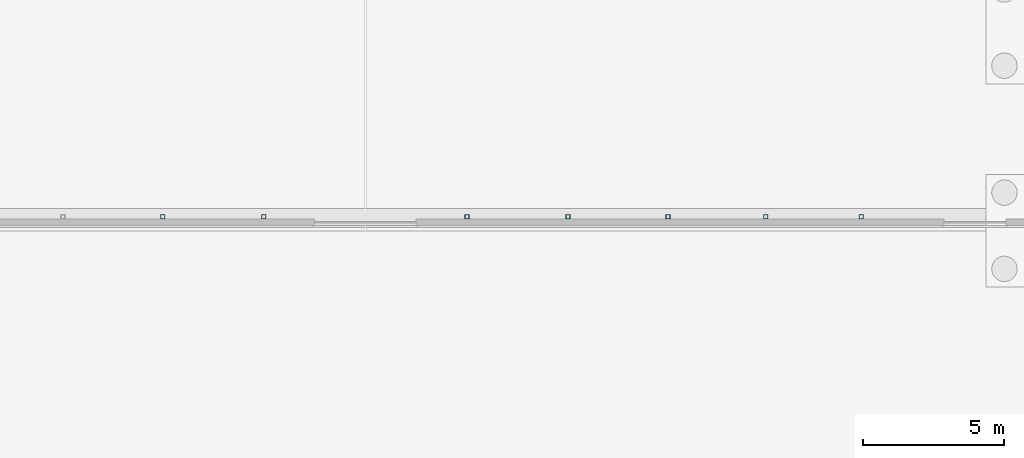
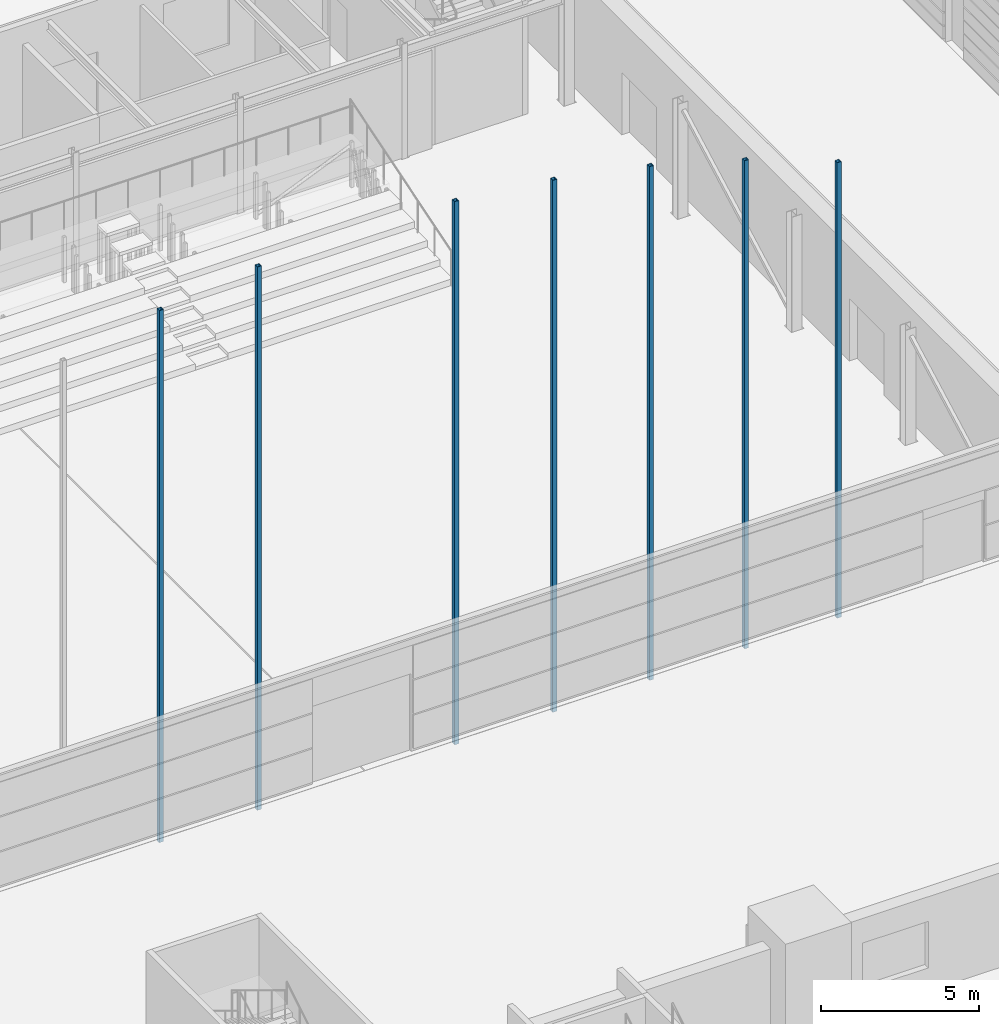
# One storey, part 29 of 139: 7 members.
"""IFC4 building model written with IfcOpenShell, lengths in metres."""

from ifc_helpers import new_model, si_unit, direction, frame, origin, origin_2d, place, context, subcontext, project, spatial, hollow_rectangle, extrude, material, material_profile, profile_set, type_object, element, save


model = new_model("IFC4")

# Units and contexts
model_context = context("Model", 3, precision=1e-05, world=origin(), true_north=direction((0.0, 1.0)))
body_context = subcontext(model_context, "Body", "Model", "MODEL_VIEW")
ifc_project = project(units=[si_unit("LENGTHUNIT", "METRE"), si_unit("AREAUNIT", "SQUARE_METRE"), si_unit("VOLUMEUNIT", "CUBIC_METRE"), si_unit("PLANEANGLEUNIT", "RADIAN"), si_unit("MASSUNIT", "GRAM", prefix="KILO")], contexts=[model_context])

# Site, building, storey
site_placement = place(None, origin())
site = spatial("IfcSite", under=ifc_project, at=site_placement, CompositionType="ELEMENT")
building_placement = place(site_placement, origin())
building = spatial("IfcBuilding", under=site, at=building_placement, Name="Verrick Yard Athletic Hall", CompositionType="ELEMENT")
storey_placement = place(building_placement, origin())
storey = spatial("IfcBuildingStorey", under=building, at=storey_placement, Name="L00", CompositionType="ELEMENT", Elevation=0.0)

# Members
ifc_material = material(Name="Structural steel HSS Class C 350W (CSA G40.20/G40.21)", Category="steel")
ifc_material_profile = material_profile(ifc_material, hollow_rectangle(XDim=0.15234375, YDim=0.15234375, WallThickness=0.009521484375, at=origin_2d()), Name="HSS152x152x9.5")
ifc_profile_set = profile_set([ifc_material_profile], Name="Structural steel HSS Class C 350W (CSA G40.20/G40.21)")
member_type = type_object("IfcMemberType", Name="HB gable post HSS152x152x9.5", PredefinedType="POST", material=ifc_profile_set)
member_1_placement = place(storey_placement, frame((44.815673828125, 72.49462890625, -0.5), z_axis=(0.0, 0.0, 1.0), x_axis=(1.0, 0.0, 0.0)))
element("IfcMember", 1, at=member_1_placement, inside=storey, type_object=member_type, Name="HB-GP-BS-5", PredefinedType="POST", context=body_context, shape_type="SweptSolid", body=[
    extrude(hollow_rectangle(XDim=0.15234375, YDim=0.15234375, WallThickness=0.009521484375, at=origin_2d()), origin(), (0.0, 0.0, 1.0), 20.548095703125),
])
for number, where, z_axis, x_axis, name in (
    (2, (48.396728515625, 72.49462890625, -0.5), (0.0, 0.0, 1.0), (1.0, 0.0, 0.0), "HB-GP-BS-6"),
    (3, (55.603271484375, 72.49462890625, -0.5), (0.0, 0.0, 1.0), (1.0, 0.0, 0.0), "HB-GP-BS-8"),
):
    element("IfcMember", number, at=place(storey_placement, frame(where, z_axis=z_axis, x_axis=x_axis)), inside=storey, type_object=member_type, Name=name, PredefinedType="POST", context=body_context, shape_type="SweptSolid", body=[
        extrude(hollow_rectangle(XDim=0.15234375, YDim=0.15234375, WallThickness=0.009521484375, at=origin_2d()), origin(), (0.0, 0.0, 1.0), 20.97900390625),
    ])
member_2_placement = place(storey_placement, frame((59.184326171875, 72.49462890625, -0.5), z_axis=(0.0, 0.0, 1.0), x_axis=(1.0, 0.0, 0.0)))
element("IfcMember", 4, at=member_2_placement, inside=storey, type_object=member_type, Name="HB-GP-BS-9", PredefinedType="POST", context=body_context, shape_type="SweptSolid", body=[
    extrude(hollow_rectangle(XDim=0.15234375, YDim=0.15234375, WallThickness=0.009521484375, at=origin_2d()), origin(), (0.0, 0.0, 1.0), 20.548095703125),
])
member_3_placement = place(storey_placement, frame((62.721435546875, 72.49462890625, -0.5), z_axis=(0.0, 0.0, 1.0), x_axis=(1.0, 0.0, 0.0)))
element("IfcMember", 5, at=member_3_placement, inside=storey, type_object=member_type, Name="HB-GP-BS-10", PredefinedType="POST", context=body_context, shape_type="SweptSolid", body=[
    extrude(hollow_rectangle(XDim=0.15234375, YDim=0.15234375, WallThickness=0.009521484375, at=origin_2d()), origin(), (0.0, 0.0, 1.0), 19.8369140625),
])
member_4_placement = place(storey_placement, frame((66.192626953125, 72.49462890625, -0.5), z_axis=(0.0, 0.0, 1.0), x_axis=(1.0, 0.0, 0.0)))
element("IfcMember", 6, at=member_4_placement, inside=storey, type_object=member_type, Name="HB-GP-BS-11", PredefinedType="POST", context=body_context, shape_type="SweptSolid", body=[
    extrude(hollow_rectangle(XDim=0.15234375, YDim=0.15234375, WallThickness=0.009521484375, at=origin_2d()), origin(), (0.0, 0.0, 1.0), 18.849609375),
])
member_5_placement = place(storey_placement, frame((69.576416015625, 72.49462890625, -0.5), z_axis=(0.0, 0.0, 1.0), x_axis=(1.0, 0.0, 0.0)))
element("IfcMember", 7, at=member_5_placement, inside=storey, type_object=member_type, Name="HB-GP-BS-12", PredefinedType="POST", context=body_context, shape_type="SweptSolid", body=[
    extrude(hollow_rectangle(XDim=0.15234375, YDim=0.15234375, WallThickness=0.009521484375, at=origin_2d()), origin(), (0.0, 0.0, 1.0), 17.592041015625),
])

save(model, "model.ifc")
